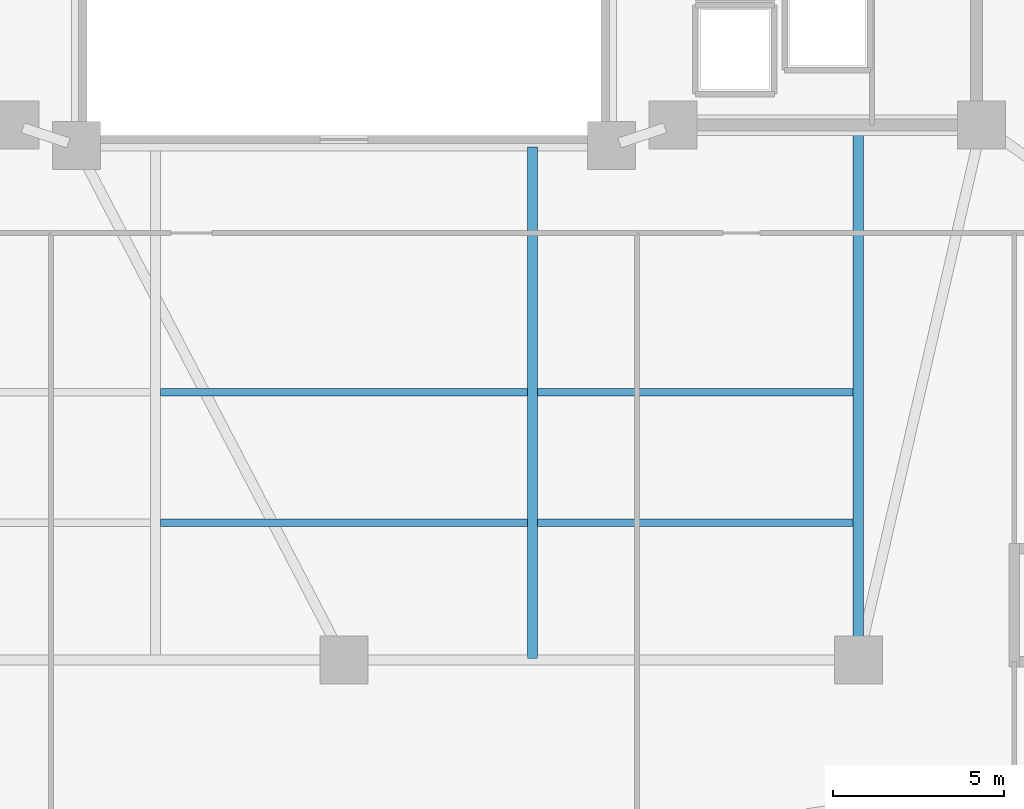
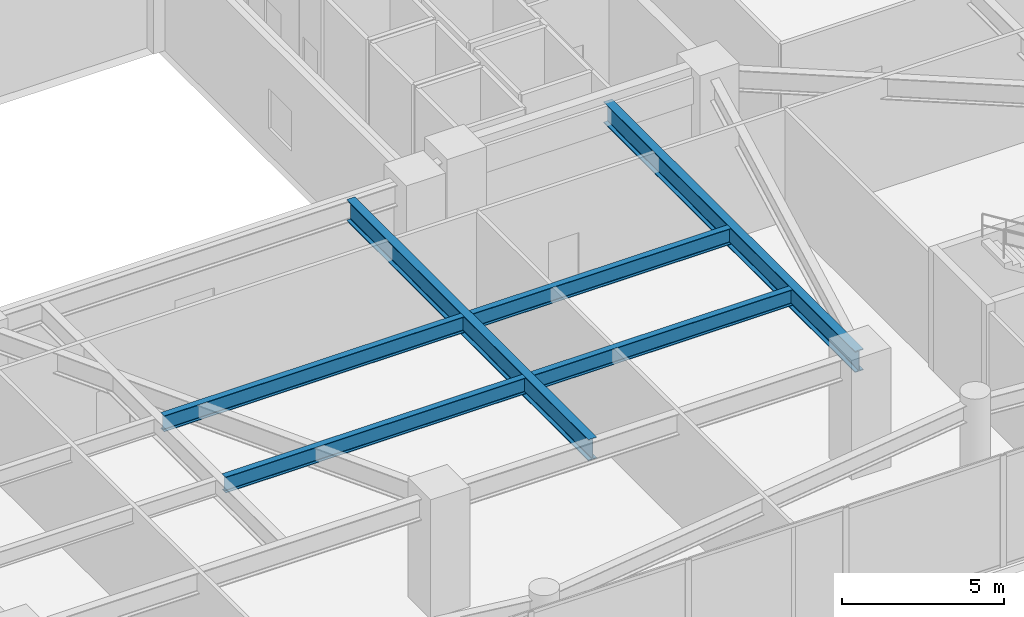
# One storey, part 6 of 29: 6 beams.
"""IFC4 building model written with IfcOpenShell, lengths in metres."""

from ifc_helpers import new_model, si_unit, direction, frame, origin, origin_2d, place, context, subcontext, project, spatial, i_section, extrude, material, material_profile, profile_set, type_object, element, save


model = new_model("IFC4")

# Units and contexts
model_context = context("Model", 3, precision=1e-05, world=origin(), true_north=direction((0.0, 1.0)))
body_context = subcontext(model_context, "Body", "Model", "MODEL_VIEW")
ifc_project = project(units=[si_unit("LENGTHUNIT", "METRE"), si_unit("AREAUNIT", "SQUARE_METRE"), si_unit("VOLUMEUNIT", "CUBIC_METRE"), si_unit("PLANEANGLEUNIT", "RADIAN"), si_unit("MASSUNIT", "GRAM", prefix="KILO")], contexts=[model_context])

# Site, building, storey
site_placement = place(None, origin())
site = spatial("IfcSite", under=ifc_project, at=site_placement, CompositionType="ELEMENT")
building_placement = place(site_placement, origin())
building = spatial("IfcBuilding", under=site, at=building_placement, Name="Tarnavaz Court Tower", CompositionType="ELEMENT")
storey_placement = place(building_placement, frame((0.0, 0.0, 5.39990234375)))
storey = spatial("IfcBuildingStorey", under=building, at=storey_placement, Name="L01", CompositionType="ELEMENT", Elevation=5.39990234375)

# Beams
ifc_material = material(Name="Steel S355", Category="steel")
ifc_material_profile_1 = material_profile(ifc_material, i_section(OverallWidth=0.300048828125, OverallDepth=0.800048828125, WebThickness=0.017578125, FlangeThickness=0.032958984375, FilletRadius=0.030029296875, at=origin_2d()), Name="HEB 800")
ifc_profile_set_1 = profile_set([ifc_material_profile_1], Name="Steel S355")
beam_type_1 = type_object("IfcBeamType", Name="BM-G-HEB800", PredefinedType="USERDEFINED", material=ifc_profile_set_1)
beam_1_placement = place(storey_placement, frame((5.5, -7.840087890625, 3.800048828125), z_axis=(0.0, -1.0, 0.0), x_axis=(1.0, 0.0, 0.0)))
element("IfcBeam", 1, at=beam_1_placement, inside=storey, type_object=beam_type_1, Name="L01 Beam PM-NS-SCE", ObjectType="GIRDER", PredefinedType="USERDEFINED", context=body_context, shape_type="SweptSolid", body=[
    extrude(i_section(OverallWidth=0.300048828125, OverallDepth=0.800048828125, WebThickness=0.017578125, FlangeThickness=0.032958984375, FilletRadius=0.030029296875, at=origin_2d()), origin(), (0.0, 0.0, 1.0), 14.919921875),
])
beam_2_placement = place(storey_placement, frame((15.0, -7.239990234375, 3.800048828125), z_axis=(0.0, -1.0, 0.0), x_axis=(1.0, 0.0, 0.0)))
element("IfcBeam", 2, at=beam_2_placement, inside=storey, type_object=beam_type_1, Name="L01 Beam PM-NS-SE", ObjectType="GIRDER", PredefinedType="USERDEFINED", context=body_context, shape_type="SweptSolid", body=[
    extrude(i_section(OverallWidth=0.300048828125, OverallDepth=0.800048828125, WebThickness=0.017578125, FlangeThickness=0.032958984375, FilletRadius=0.030029296875, at=origin_2d()), origin(), (0.0, 0.0, 1.0), 15.52001953125),
])
ifc_material_profile_2 = material_profile(ifc_material, i_section(OverallWidth=0.219970703125, OverallDepth=0.60009765625, WebThickness=0.011962890625, FlangeThickness=0.01904296875, FilletRadius=0.02392578125, at=origin_2d()), Name="IPE 600")
ifc_profile_set_2 = profile_set([ifc_material_profile_2], Name="Steel S355")
beam_type_2 = type_object("IfcBeamType", Name="BM-J-IPE600", PredefinedType="JOIST", material=ifc_profile_set_2)
beam_3_placement = place(storey_placement, frame((-5.35009765625, -15.0, 3.900146484375), z_axis=(1.0, 0.0, 0.0), x_axis=(0.0, 1.0, 0.0)))
element("IfcBeam", 3, at=beam_3_placement, inside=storey, type_object=beam_type_2, Name="L01 Beam PJS-1-2", PredefinedType="JOIST", context=body_context, shape_type="SweptSolid", body=[
    extrude(i_section(OverallWidth=0.219970703125, OverallDepth=0.60009765625, WebThickness=0.011962890625, FlangeThickness=0.01904296875, FilletRadius=0.02392578125, at=origin_2d()), origin(), (0.0, 0.0, 1.0), 10.7001953125),
])
beam_4_placement = place(storey_placement, frame((5.64990234375, -15.0, 3.900146484375), z_axis=(1.0, 0.0, 0.0), x_axis=(0.0, 1.0, 0.0)))
element("IfcBeam", 4, at=beam_4_placement, inside=storey, type_object=beam_type_2, Name="L01 Beam PJS-1-3", PredefinedType="JOIST", context=body_context, shape_type="SweptSolid", body=[
    extrude(i_section(OverallWidth=0.219970703125, OverallDepth=0.60009765625, WebThickness=0.011962890625, FlangeThickness=0.01904296875, FilletRadius=0.02392578125, at=origin_2d()), origin(), (0.0, 0.0, 1.0), 9.2001953125),
])
beam_5_placement = place(storey_placement, frame((-5.35009765625, -18.800048828125, 3.900146484375), z_axis=(1.0, 0.0, 0.0), x_axis=(0.0, 1.0, 0.0)))
element("IfcBeam", 5, at=beam_5_placement, inside=storey, type_object=beam_type_2, Name="L01 Beam PJS-2-2", PredefinedType="JOIST", context=body_context, shape_type="SweptSolid", body=[
    extrude(i_section(OverallWidth=0.219970703125, OverallDepth=0.60009765625, WebThickness=0.011962890625, FlangeThickness=0.01904296875, FilletRadius=0.02392578125, at=origin_2d()), origin(), (0.0, 0.0, 1.0), 10.7001953125),
])
beam_6_placement = place(storey_placement, frame((5.64990234375, -18.800048828125, 3.900146484375), z_axis=(1.0, 0.0, 0.0), x_axis=(0.0, 1.0, 0.0)))
element("IfcBeam", 6, at=beam_6_placement, inside=storey, type_object=beam_type_2, Name="L01 Beam PJS-2-3", PredefinedType="JOIST", context=body_context, shape_type="SweptSolid", body=[
    extrude(i_section(OverallWidth=0.219970703125, OverallDepth=0.60009765625, WebThickness=0.011962890625, FlangeThickness=0.01904296875, FilletRadius=0.02392578125, at=origin_2d()), origin(), (0.0, 0.0, 1.0), 9.2001953125),
])

save(model, "model.ifc")
